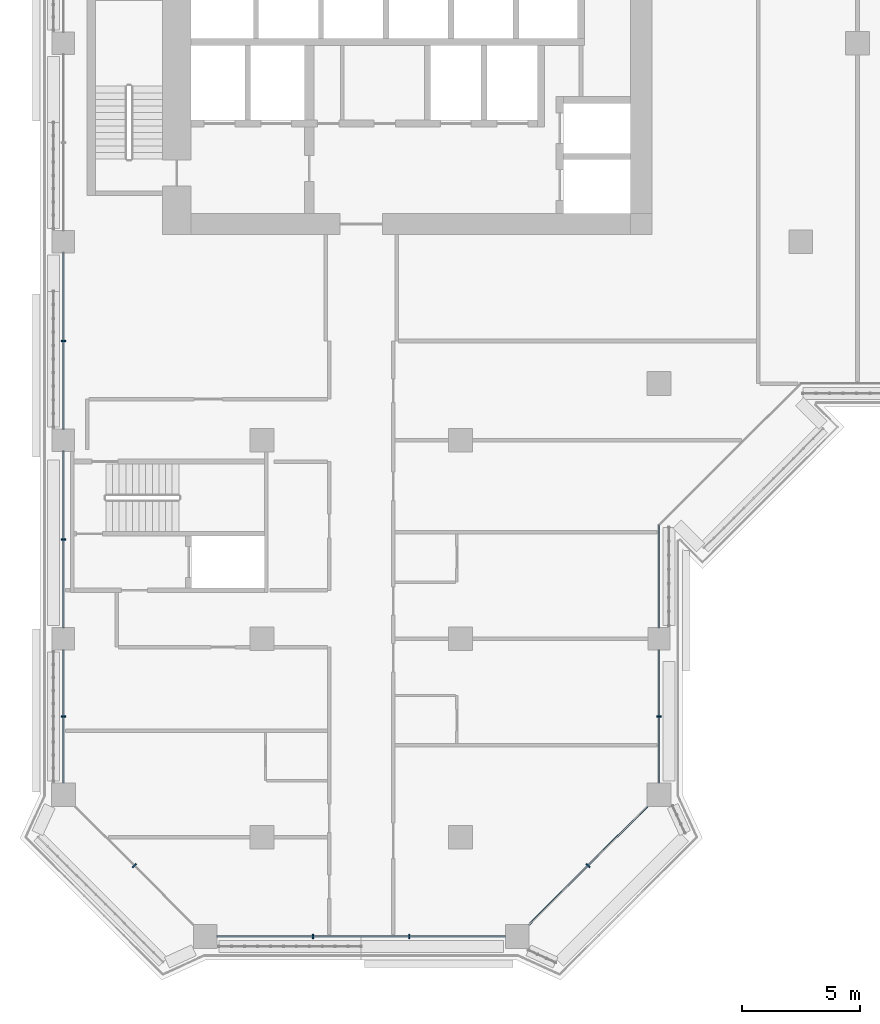
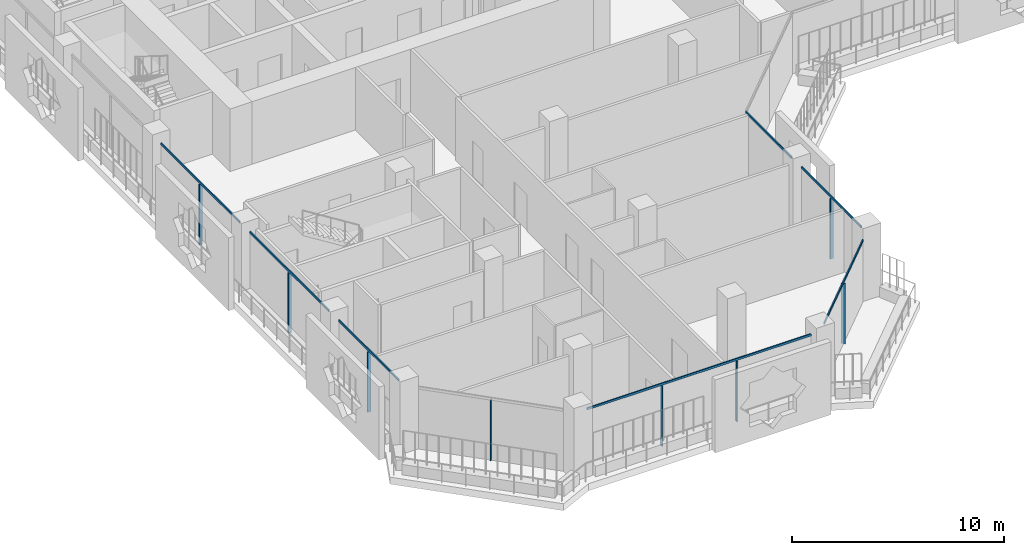
# One storey, part 2 of 21: 15 members, 5 elements without a shape of their own.
"""IFC4 building model written with IfcOpenShell, lengths in metres."""

from ifc_helpers import new_model, si_unit, direction, frame, origin, origin_2d, place, context, subcontext, project, spatial, rectangle, extrude, material, layer, layer_set, material_profile, profile_set, type_object, element, aggregate, save


model = new_model("IFC4")

# Units and contexts
model_context = context("Model", 3, precision=1e-05, world=origin(), true_north=direction((0.0, 1.0)))
body_context = subcontext(model_context, "Body", "Model", "MODEL_VIEW")
ifc_project = project(units=[si_unit("LENGTHUNIT", "METRE"), si_unit("AREAUNIT", "SQUARE_METRE"), si_unit("VOLUMEUNIT", "CUBIC_METRE"), si_unit("PLANEANGLEUNIT", "RADIAN"), si_unit("MASSUNIT", "GRAM", prefix="KILO")], contexts=[model_context])

# Site, building, storey
site_placement = place(None, origin())
site = spatial("IfcSite", under=ifc_project, at=site_placement, CompositionType="ELEMENT")
building_placement = place(site_placement, origin())
building = spatial("IfcBuilding", under=site, at=building_placement, Name="Kawkab Arch Medical Tower", CompositionType="ELEMENT")
storey_placement = place(building_placement, frame((0.0, 0.0, 192.0)))
storey = spatial("IfcBuildingStorey", under=building, at=storey_placement, Name="L44", CompositionType="ELEMENT", Elevation=192.0)

# Curtain wall, members
ifc_material_1 = material(Name="Bronze anodised aluminium curtain wall frame", Category="aluminium")
ifc_layer_1 = layer(ifc_material_1, 0.159912109375)
ifc_layer_set_1 = layer_set([ifc_layer_1], Name="Bronze anodised aluminium curtain wall frame")
curtain_wall_type_1 = type_object("IfcCurtainWallType", Name="CW1 ward curtain wall", PredefinedType="NOTDEFINED", material=ifc_layer_set_1)
placement = place(storey_placement, origin())
curtain_wall_1 = element("IfcCurtainWall", 1, at=placement, inside=storey, type_object=curtain_wall_type_1, Name="CW1 Ward curtain wall R01", PredefinedType="NOTDEFINED")
ifc_material_2 = material(Name="Bronze anodised aluminium curtain wall frame", Category="aluminium")
ifc_material_profile_1 = material_profile(ifc_material_2, rectangle(XDim=0.179931640625, YDim=0.06005859375, at=origin_2d()), Name="AL 60x180")
ifc_profile_set_1 = profile_set([ifc_material_profile_1], Name="Bronze anodised aluminium curtain wall frame")
member_type_1 = type_object("IfcMemberType", Name="CW1 mullion 60 x 180", PredefinedType="MULLION", material=ifc_profile_set_1)
member_1_placement = place(storey_placement, frame((0.0, -29.39990234375, 0.0), z_axis=(0.0, 0.0, 1.0), x_axis=(1.0, 0.0, 0.0)))
member_1 = element("IfcMember", 2, at=member_1_placement, type_object=member_type_1, Name="CW1 mullion 3.1", PredefinedType="MULLION", context=body_context, shape_type="SweptSolid", body=[
    extrude(rectangle(XDim=0.179931640625, YDim=0.06005859375, at=origin_2d()), origin(), (0.0, 0.0, 1.0), 3.47998046875),
])
member_2_placement = place(storey_placement, frame((0.0, -37.800048828125, 0.0), z_axis=(0.0, 0.0, 1.0), x_axis=(1.0, 0.0, 0.0)))
member_2 = element("IfcMember", 3, at=member_2_placement, type_object=member_type_1, Name="CW1 mullion 4.1", PredefinedType="MULLION", context=body_context, shape_type="SweptSolid", body=[
    extrude(rectangle(XDim=0.179931640625, YDim=0.06005859375, at=origin_2d()), origin(), (0.0, 0.0, 1.0), 3.47998046875),
])
member_3_placement = place(storey_placement, frame((0.0, -45.28759765625, 0.0), z_axis=(0.0, 0.0, 1.0), x_axis=(1.0, 0.0, 0.0)))
member_3 = element("IfcMember", 4, at=member_3_placement, type_object=member_type_1, Name="CW1 mullion 5.1", PredefinedType="MULLION", context=body_context, shape_type="SweptSolid", body=[
    extrude(rectangle(XDim=0.179931640625, YDim=0.06005859375, at=origin_2d()), origin(), (0.0, 0.0, 1.0), 3.47998046875),
])

curtain_wall_2 = element("IfcCurtainWall", 5, at=placement, inside=storey, type_object=curtain_wall_type_1, Name="CW1 Ward curtain wall R03", PredefinedType="NOTDEFINED")
member_4_placement = place(storey_placement, frame((10.566650390625, -54.60009765625, 0.0), z_axis=(0.0, 0.0, 1.0), x_axis=(0.0, 1.0, 0.0)))
member_4 = element("IfcMember", 6, at=member_4_placement, type_object=member_type_1, Name="CW1 mullion 1.1", PredefinedType="MULLION", context=body_context, shape_type="SweptSolid", body=[
    extrude(rectangle(XDim=0.179931640625, YDim=0.06005859375, at=origin_2d()), origin(), (0.0, 0.0, 1.0), 3.47998046875),
])
member_5_placement = place(storey_placement, frame((14.63330078125, -54.60009765625, 0.0), z_axis=(0.0, 0.0, 1.0), x_axis=(0.0, 1.0, 0.0)))
member_5 = element("IfcMember", 7, at=member_5_placement, type_object=member_type_1, Name="CW1 mullion 1.2", PredefinedType="MULLION", context=body_context, shape_type="SweptSolid", body=[
    extrude(rectangle(XDim=0.179931640625, YDim=0.06005859375, at=origin_2d()), origin(), (0.0, 0.0, 1.0), 3.47998046875),
])

# Curtain wall, member
curtain_wall_3 = element("IfcCurtainWall", 8, at=placement, inside=storey, type_object=curtain_wall_type_1, Name="CW1 Ward curtain wall R05", PredefinedType="NOTDEFINED")
member_6_placement = place(storey_placement, frame((25.199951171875, -45.28759765625, 0.0), z_axis=(0.0, 0.0, 1.0), x_axis=(-1.0, 0.0, 0.0)))
member_6 = element("IfcMember", 9, at=member_6_placement, type_object=member_type_1, Name="CW1 mullion 1.1", PredefinedType="MULLION", context=body_context, shape_type="SweptSolid", body=[
    extrude(rectangle(XDim=0.179931640625, YDim=0.06005859375, at=origin_2d()), origin(), (0.0, 0.0, 1.0), 3.47998046875),
])

# Member
ifc_material_3 = material(Name="Bronze anodised aluminium curtain wall frame", Category="aluminium")
ifc_material_profile_2 = material_profile(ifc_material_3, rectangle(XDim=0.06005859375, YDim=0.1201171875, at=origin_2d()), Name="AL 60x120")
ifc_profile_set_2 = profile_set([ifc_material_profile_2], Name="Bronze anodised aluminium curtain wall frame")
member_type_2 = type_object("IfcMemberType", Name="CW1 transom 120 x 60", PredefinedType="USERDEFINED", material=ifc_profile_set_2)
member_7_placement = place(storey_placement, frame((0.0, -25.675048828125, 3.5400390625), z_axis=(0.0, -1.0, 0.0), x_axis=(1.0, 0.0, 0.0)))
member_7 = element("IfcMember", 10, at=member_7_placement, type_object=member_type_2, Name="CW1 transom 3", ObjectType="TRANSOM", PredefinedType="USERDEFINED", context=body_context, shape_type="SweptSolid", body=[
    extrude(rectangle(XDim=0.06005859375, YDim=0.1201171875, at=origin_2d()), origin(), (0.0, 0.0, 1.0), 7.449951171875),
])

member_8_placement = place(storey_placement, frame((0.0, -34.074951171875, 3.5400390625), z_axis=(0.0, -1.0, 0.0), x_axis=(1.0, 0.0, 0.0)))
member_8 = element("IfcMember", 11, at=member_8_placement, type_object=member_type_2, Name="CW1 transom 4", ObjectType="TRANSOM", PredefinedType="USERDEFINED", context=body_context, shape_type="SweptSolid", body=[
    extrude(rectangle(XDim=0.06005859375, YDim=0.1201171875, at=origin_2d()), origin(), (0.0, 0.0, 1.0), 7.449951171875),
])

member_9_placement = place(storey_placement, frame((0.0, -42.47509765625, 3.5400390625), z_axis=(0.0, -1.0, 0.0), x_axis=(1.0, 0.0, 0.0)))
member_9 = element("IfcMember", 12, at=member_9_placement, type_object=member_type_2, Name="CW1 transom 5", ObjectType="TRANSOM", PredefinedType="USERDEFINED", context=body_context, shape_type="SweptSolid", body=[
    extrude(rectangle(XDim=0.06005859375, YDim=0.1201171875, at=origin_2d()), origin(), (0.0, 0.0, 1.0), 5.625),
])

aggregate(curtain_wall_1, [member_7, member_1, member_8, member_2, member_9, member_3])

member_10_placement = place(storey_placement, frame((6.5, -54.60009765625, 3.5400390625), z_axis=(1.0, 0.0, 0.0), x_axis=(0.0, 1.0, 0.0)))
member_10 = element("IfcMember", 13, at=member_10_placement, type_object=member_type_2, Name="CW1 transom 1", ObjectType="TRANSOM", PredefinedType="USERDEFINED", context=body_context, shape_type="SweptSolid", body=[
    extrude(rectangle(XDim=0.06005859375, YDim=0.1201171875, at=origin_2d()), origin(), (0.0, 0.0, 1.0), 12.199951171875),
])

aggregate(curtain_wall_2, [member_10, member_4, member_5])

member_11_placement = place(storey_placement, frame((25.199951171875, -48.10009765625, 3.5400390625), z_axis=(0.0, 1.0, 0.0), x_axis=(-1.0, 0.0, 0.0)))
member_11 = element("IfcMember", 14, at=member_11_placement, type_object=member_type_2, Name="CW1 transom 1", ObjectType="TRANSOM", PredefinedType="USERDEFINED", context=body_context, shape_type="SweptSolid", body=[
    extrude(rectangle(XDim=0.06005859375, YDim=0.1201171875, at=origin_2d()), origin(), (0.0, 0.0, 1.0), 5.625),
])

member_12_placement = place(storey_placement, frame((25.199951171875, -41.52490234375, 3.5400390625), z_axis=(0.0, 1.0, 0.0), x_axis=(-1.0, 0.0, 0.0)))
member_12 = element("IfcMember", 15, at=member_12_placement, type_object=member_type_2, Name="CW1 transom 2", ObjectType="TRANSOM", PredefinedType="USERDEFINED", context=body_context, shape_type="SweptSolid", body=[
    extrude(rectangle(XDim=0.06005859375, YDim=0.1201171875, at=origin_2d()), origin(), (0.0, 0.0, 1.0), 4.324951171875),
])

aggregate(curtain_wall_3, [member_11, member_6, member_12])

# Curtain wall, member
ifc_material_4 = material(Name="Bronze anodised aluminium curtain wall frame", Category="aluminium")
ifc_layer_2 = layer(ifc_material_4, 0.159912109375)
ifc_layer_set_2 = layer_set([ifc_layer_2], Name="Bronze anodised aluminium curtain wall frame")
curtain_wall_type_2 = type_object("IfcCurtainWallType", Name="CW2 chamfer curtain wall", PredefinedType="NOTDEFINED", material=ifc_layer_set_2)
curtain_wall_4 = element("IfcCurtainWall", 16, at=placement, inside=storey, type_object=curtain_wall_type_2, Name="CW2 Chamfer curtain wall R02", PredefinedType="NOTDEFINED")
ifc_material_5 = material(Name="Bronze anodised aluminium curtain wall frame", Category="aluminium")
ifc_material_profile_3 = material_profile(ifc_material_5, rectangle(XDim=0.199951171875, YDim=0.06005859375, at=origin_2d()), Name="AL 60x200")
ifc_profile_set_3 = profile_set([ifc_material_profile_3], Name="Bronze anodised aluminium curtain wall frame")
member_type_3 = type_object("IfcMemberType", Name="CW2 mullion 60 x 200", PredefinedType="MULLION", material=ifc_profile_set_3)
member_13_placement = place(storey_placement, frame((3.0, -51.60009765625, 0.0), z_axis=(0.0, 0.0, 1.0), x_axis=(0.707106781187, 0.707106781187, 0.0)))
member_13 = element("IfcMember", 17, at=member_13_placement, type_object=member_type_3, Name="CW2 mullion 1.1", PredefinedType="MULLION", context=body_context, shape_type="SweptSolid", body=[
    extrude(rectangle(XDim=0.199951171875, YDim=0.06005859375, at=origin_2d()), origin(), (0.0, 0.0, 1.0), 3.4599609375),
])
aggregate(curtain_wall_4, [member_13])

# Curtain wall, members
curtain_wall_5 = element("IfcCurtainWall", 18, at=placement, inside=storey, type_object=curtain_wall_type_2, Name="CW2 Chamfer curtain wall R04", PredefinedType="NOTDEFINED")
member_14_placement = place(storey_placement, frame((22.199951171875, -51.60009765625, 0.0), z_axis=(0.0, 0.0, 1.0), x_axis=(-0.707106781187, 0.707106781187, 0.0)))
member_14 = element("IfcMember", 19, at=member_14_placement, type_object=member_type_3, Name="CW2 mullion 1.1", PredefinedType="MULLION", context=body_context, shape_type="SweptSolid", body=[
    extrude(rectangle(XDim=0.199951171875, YDim=0.06005859375, at=origin_2d()), origin(), (0.0, 0.0, 1.0), 3.4599609375),
])
ifc_material_6 = material(Name="Bronze anodised aluminium curtain wall frame", Category="aluminium")
ifc_material_profile_4 = material_profile(ifc_material_6, rectangle(XDim=0.06005859375, YDim=0.139892578125, at=origin_2d()), Name="AL 60x140")
ifc_profile_set_4 = profile_set([ifc_material_profile_4], Name="Bronze anodised aluminium curtain wall frame")
member_type_4 = type_object("IfcMemberType", Name="CW2 transom 140 x 60", PredefinedType="USERDEFINED", material=ifc_profile_set_4)
member_15_placement = place(storey_placement, frame((19.699951171875, -54.10009765625, 3.530029296875), z_axis=(0.707106781187, 0.707106781187, 0.0), x_axis=(-0.707106781187, 0.707106781187, 0.0)))
member_15 = element("IfcMember", 20, at=member_15_placement, type_object=member_type_4, Name="CW2 transom 1", ObjectType="TRANSOM", PredefinedType="USERDEFINED", context=body_context, shape_type="SweptSolid", body=[
    extrude(rectangle(XDim=0.06005859375, YDim=0.139892578125, at=origin_2d()), origin(), (0.0, 0.0, 1.0), 7.071044921875),
])
aggregate(curtain_wall_5, [member_15, member_14])

save(model, "model.ifc")
